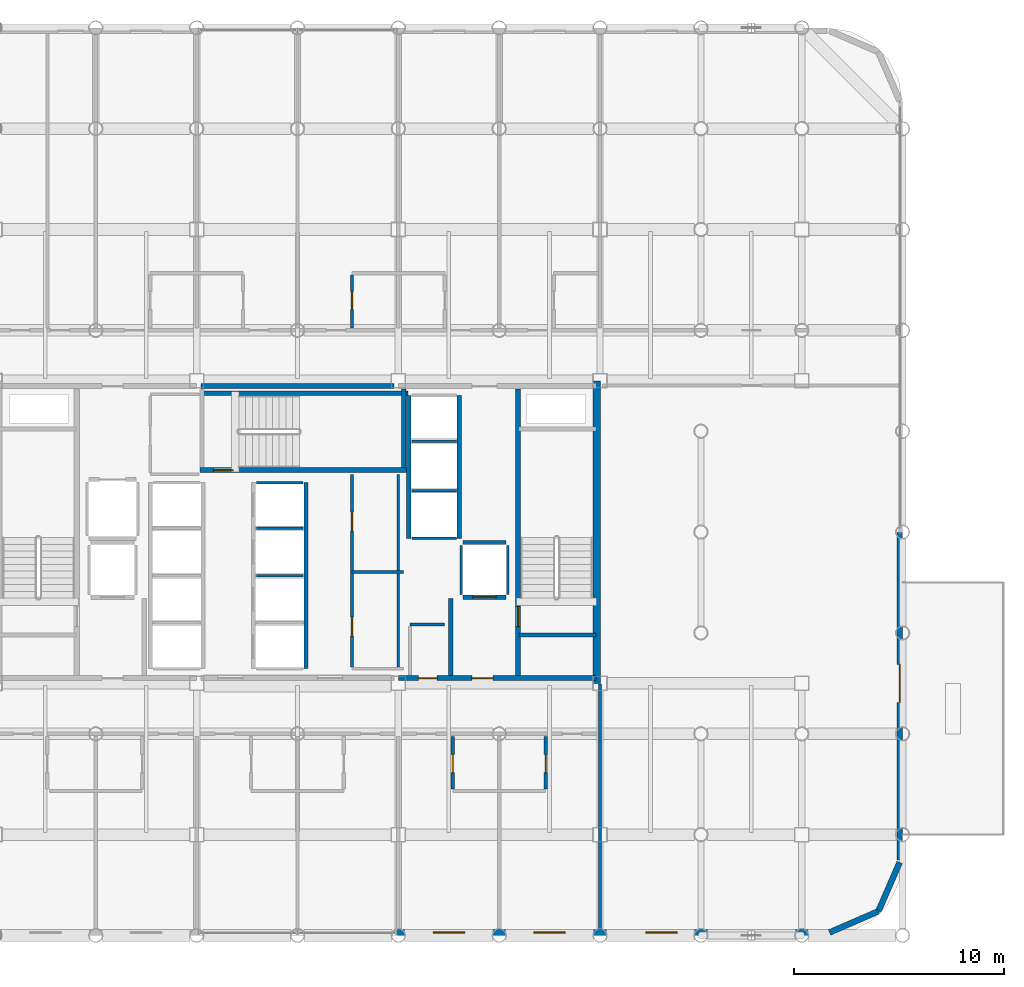
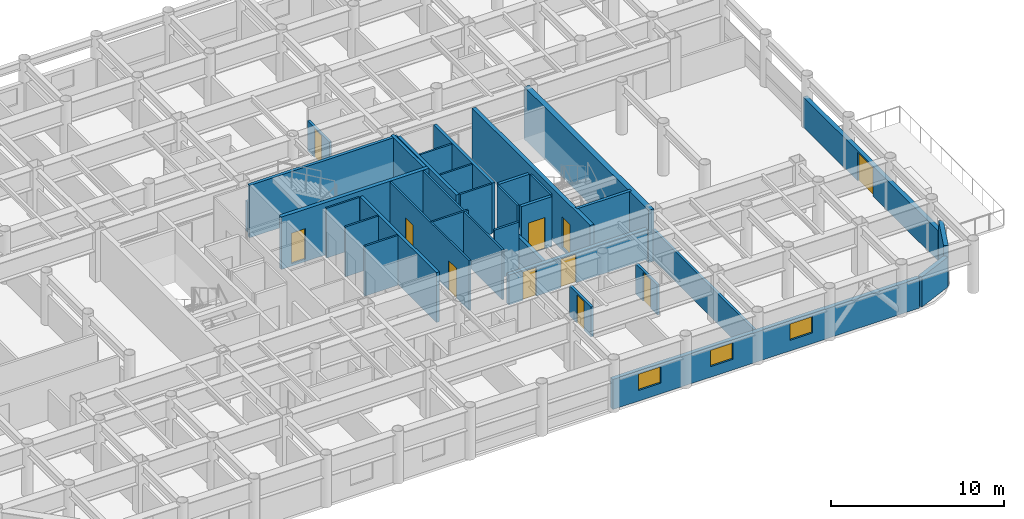
# One storey, part 19 of 23: 34 walls, 11 doors, 3 windows, 14 openings.
"""IFC4 building model written with IfcOpenShell, lengths in metres."""

from ifc_helpers import new_model, si_unit, direction, frame, frame_2d, origin, place, context, subcontext, project, spatial, rectangle, extrude, material, layer, layer_set, type_object, element, fill, save


model = new_model("IFC4")

# Units and contexts
model_context = context("Model", 3, precision=1e-05, world=origin(), true_north=direction((0.0, 1.0)))
body_context = subcontext(model_context, "Body", "Model", "MODEL_VIEW")
ifc_project = project(units=[si_unit("LENGTHUNIT", "METRE"), si_unit("AREAUNIT", "SQUARE_METRE"), si_unit("VOLUMEUNIT", "CUBIC_METRE"), si_unit("PLANEANGLEUNIT", "RADIAN"), si_unit("MASSUNIT", "GRAM", prefix="KILO")], contexts=[model_context])

# Site, building, storey
site_placement = place(None, origin())
site = spatial("IfcSite", under=ifc_project, at=site_placement, CompositionType="ELEMENT")
building_placement = place(site_placement, origin())
building = spatial("IfcBuilding", under=site, at=building_placement, Name="Kallvorn Hotel Tower", CompositionType="ELEMENT")
storey_placement = place(building_placement, frame((0.0, 0.0, 124.800048828125)))
storey = spatial("IfcBuildingStorey", under=building, at=storey_placement, Name="L30", CompositionType="ELEMENT", Elevation=124.800048828125)

# Wall
ifc_material_1 = material(Name="Concrete C50/60", Category="concrete")
ifc_layer_1 = layer(ifc_material_1, 0.35009765625)
ifc_layer_set_1 = layer_set([ifc_layer_1], Name="WL_CORE_350")
wall_type_1 = type_object("IfcWallType", Name="WL_CORE_350", PredefinedType="SHEAR", material=ifc_layer_set_1)
wall_1_placement = place(storey_placement, frame((14.239990234375, -7.199951171875, -0.179931640625), z_axis=(0.0, 0.0, 1.0), x_axis=(0.0, 1.0, 0.0)))
element("IfcWall", 1, at=wall_1_placement, inside=storey, type_object=wall_type_1, Name="L30 Core East Shear Wall", PredefinedType="SHEAR", context=body_context, shape_type="SweptSolid", body=[
    extrude(rectangle(XDim=14.39990234375, YDim=0.35009765625, at=frame_2d((7.199951171875, 0.0))), origin(), (0.0, 0.0, 1.0), 3.699951171875),
])

# Wall, opening, door
ifc_material_2 = material(Name="Fire-rated double-layer acoustic gypsum drywall EI 60")
ifc_layer_2 = layer(ifc_material_2, 0.159912109375)
ifc_layer_set_2 = layer_set([ifc_layer_2], Name="WL_DEMISE_160")
wall_type_2 = type_object("IfcWallType", Name="WL_DEMISE_160", PredefinedType="PARTITIONING", material=ifc_layer_set_2)
wall_2_placement = place(storey_placement, frame((2.594970703125, 9.719970703125, 0.0), z_axis=(0.0, 0.0, 1.0), x_axis=(0.0, 1.0, 0.0)))
wall_2 = element("IfcWall", 2, at=wall_2_placement, inside=storey, type_object=wall_type_2, Name="L30 Suite 3009 Standard Twin Room Partition", PredefinedType="PARTITIONING", context=body_context, shape_type="SweptSolid", body=[
    extrude(rectangle(XDim=2.51513671875, YDim=0.159912109375, at=frame_2d((1.257568359375, 0.0))), origin(), (0.0, 0.0, 1.0), 2.119873046875),
])
opening_1_placement = place(wall_2_placement, frame((0.8701171875, 0.0, 0.0)))
opening_1 = element("IfcOpeningElement", 3, at=opening_1_placement, cuts=wall_2, Name="Opening BD-IA", PredefinedType="OPENING", context=body_context, shape_type="SweptSolid", body=[
    extrude(rectangle(XDim=0.860107421875, YDim=2.02001953125, at=frame_2d((0.43017578125, 1.010009765625))), frame((0.0, 0.094970703125, 0.0), z_axis=(0.0, -1.0, 0.0), x_axis=(1.0, 0.0, 0.0)), (0.0, 0.0, 1.0), 0.18994140625),
])
ifc_material_3 = material(Name="Solid-core walnut veneer fire-rated timber door leaf", Category="wood")
door_type_1 = type_object("IfcDoorType", Name="DR_BATH_860x2020", OperationType="NOTDEFINED", PredefinedType="DOOR", material=ifc_material_3)
door_1_placement = place(opening_1_placement, origin())
door_1 = element("IfcDoor", 4, at=door_1_placement, inside=storey, type_object=door_type_1, Name="L30 Suite 3009 En-Suite Bathroom Door", OperationType="SINGLE_SWING_RIGHT", OverallHeight=2.02001953125, OverallWidth=0.860107421875, PredefinedType="DOOR", context=body_context, shape_type="SweptSolid", body=[
    extrude(rectangle(XDim=0.860107421875, YDim=2.02001953125, at=frame_2d((0.43017578125, 1.010009765625))), frame((0.0, 0.02490234375, 0.0), z_axis=(0.0, -1.0, 0.0), x_axis=(1.0, 0.0, 0.0)), (0.0, 0.0, 1.0), 0.050048828125),
])
fill(opening_1, door_1)

wall_3_placement = place(storey_placement, frame((7.389892578125, -12.235107421875, 0.0), z_axis=(0.0, 0.0, 1.0), x_axis=(0.0, 1.0, 0.0)))
wall_3 = element("IfcWall", 5, at=wall_3_placement, inside=storey, type_object=wall_type_2, Name="L30 Suite 3005 Superior Twin Room Partition", PredefinedType="PARTITIONING", context=body_context, shape_type="SweptSolid", body=[
    extrude(rectangle(XDim=2.51513671875, YDim=0.159912109375, at=frame_2d((1.257568359375, 0.0))), origin(), (0.0, 0.0, 1.0), 2.119873046875),
])
opening_2_placement = place(wall_3_placement, frame((0.784912109375, 0.0, 0.0)))
opening_2 = element("IfcOpeningElement", 6, at=opening_2_placement, cuts=wall_3, Name="Opening BD-IA", PredefinedType="OPENING", context=body_context, shape_type="SweptSolid", body=[
    extrude(rectangle(XDim=0.860107421875, YDim=2.02001953125, at=frame_2d((0.43017578125, 1.010009765625))), frame((0.0, 0.094970703125, 0.0), z_axis=(0.0, -1.0, 0.0), x_axis=(1.0, 0.0, 0.0)), (0.0, 0.0, 1.0), 0.18994140625),
])
door_2_placement = place(opening_2_placement, origin())
door_2 = element("IfcDoor", 7, at=door_2_placement, inside=storey, type_object=door_type_1, Name="L30 Suite 3005 En-Suite Bathroom Door", OperationType="SINGLE_SWING_LEFT", OverallHeight=2.02001953125, OverallWidth=0.860107421875, PredefinedType="DOOR", context=body_context, shape_type="SweptSolid", body=[
    extrude(rectangle(XDim=0.860107421875, YDim=2.02001953125, at=frame_2d((0.43017578125, 1.010009765625))), frame((0.0, 0.02490234375, 0.0), z_axis=(0.0, -1.0, 0.0), x_axis=(1.0, 0.0, 0.0)), (0.0, 0.0, 1.0), 0.050048828125),
])
fill(opening_2, door_2)

wall_4_placement = place(storey_placement, frame((11.81005859375, -12.235107421875, 0.0), z_axis=(0.0, 0.0, 1.0), x_axis=(0.0, 1.0, 0.0)))
wall_4 = element("IfcWall", 8, at=wall_4_placement, inside=storey, type_object=wall_type_2, Name="L30 Suite 3006 Superior Twin Room Partition", PredefinedType="PARTITIONING", context=body_context, shape_type="SweptSolid", body=[
    extrude(rectangle(XDim=2.51513671875, YDim=0.159912109375, at=frame_2d((1.257568359375, 0.0))), origin(), (0.0, 0.0, 1.0), 2.119873046875),
])
opening_3_placement = place(wall_4_placement, frame((0.784912109375, 0.0, 0.0)))
opening_3 = element("IfcOpeningElement", 9, at=opening_3_placement, cuts=wall_4, Name="Opening BD-IA", PredefinedType="OPENING", context=body_context, shape_type="SweptSolid", body=[
    extrude(rectangle(XDim=0.860107421875, YDim=2.02001953125, at=frame_2d((0.43017578125, 1.010009765625))), frame((0.0, 0.094970703125, 0.0), z_axis=(0.0, -1.0, 0.0), x_axis=(1.0, 0.0, 0.0)), (0.0, 0.0, 1.0), 0.18994140625),
])
door_3_placement = place(opening_3_placement, origin())
door_3 = element("IfcDoor", 10, at=door_3_placement, inside=storey, type_object=door_type_1, Name="L30 Suite 3006 En-Suite Bathroom Door", OperationType="SINGLE_SWING_LEFT", OverallHeight=2.02001953125, OverallWidth=0.860107421875, PredefinedType="DOOR", context=body_context, shape_type="SweptSolid", body=[
    extrude(rectangle(XDim=0.860107421875, YDim=2.02001953125, at=frame_2d((0.43017578125, 1.010009765625))), frame((0.0, 0.02490234375, 0.0), z_axis=(0.0, -1.0, 0.0), x_axis=(1.0, 0.0, 0.0)), (0.0, 0.0, 1.0), 0.050048828125),
])
fill(opening_3, door_3)

# Walls
wall_5_placement = place(storey_placement, frame((14.39990234375, -18.909912109375, 0.0), z_axis=(0.0, 0.0, 1.0), x_axis=(0.0, 1.0, 0.0)))
element("IfcWall", 11, at=wall_5_placement, inside=storey, type_object=wall_type_2, Name="L30 Suite 3006 Superior Twin Room Partition", PredefinedType="PARTITIONING", context=body_context, shape_type="SweptSolid", body=[
    extrude(rectangle(XDim=11.669921875, YDim=0.159912109375, at=frame_2d((5.8349609375, 0.0))), origin(), (0.0, 0.0, 1.0), 2.119873046875),
])
ifc_material_4 = material(Name="Precast basalt-clad insulated concrete wall C40/50", Category="masonry")
ifc_layer_3 = layer(ifc_material_4, 0.280029296875)
ifc_layer_set_3 = layer_set([ifc_layer_3], Name="WL_EXT_LOGGIA_280")
wall_type_3 = type_object("IfcWallType", Name="WL_EXT_LOGGIA_280", PredefinedType="SOLIDWALL", material=ifc_layer_set_3)
wall_6_placement = place(storey_placement, frame((25.32080078125, -19.057861328125, 0.0), z_axis=(0.0, 0.0, 1.0), x_axis=(0.917060872934, 0.398747232384, 0.0)))
element("IfcWall", 12, at=wall_6_placement, inside=storey, type_object=wall_type_3, Name="L30 Rounded Corner Exterior Wall SE1", PredefinedType="SOLIDWALL", context=body_context, shape_type="SweptSolid", body=[
    extrude(rectangle(XDim=2.5361328125, YDim=0.280029296875, at=frame_2d((1.26806640625, 0.0))), origin(), (0.0, 0.0, 1.0), 2.119873046875),
])
wall_7_placement = place(storey_placement, frame((27.646484375, -18.046630859375, 0.0), z_axis=(0.0, 0.0, 1.0), x_axis=(0.398792985289, 0.917040977756, 0.0)))
element("IfcWall", 13, at=wall_7_placement, inside=storey, type_object=wall_type_3, Name="L30 Rounded Corner Exterior Wall SE2", PredefinedType="SOLIDWALL", context=body_context, shape_type="SweptSolid", body=[
    extrude(rectangle(XDim=2.536376953125, YDim=0.280029296875, at=frame_2d((1.26806640625, 0.0))), origin(), (0.0, 0.0, 1.0), 2.869873046875),
])

# Wall, openings, windows
wall_8_placement = place(storey_placement, frame((4.75, -19.06005859375, 0.0), z_axis=(0.0, 0.0, 1.0), x_axis=(1.0, 0.0, 0.0)))
wall_8 = element("IfcWall", 14, at=wall_8_placement, inside=storey, type_object=wall_type_3, Name="L30 Exterior Envelope Wall EW-L30-SE", PredefinedType="SOLIDWALL", context=body_context, shape_type="SweptSolid", body=[
    extrude(rectangle(XDim=20.449951171875, YDim=0.280029296875, at=frame_2d((10.22509765625, 0.0))), origin(), (0.0, 0.0, 1.0), 2.119873046875),
])
opening_4_placement = place(wall_8_placement, frame((11.81689453125, 0.0, 0.75)))
opening_4 = element("IfcOpeningElement", 15, at=opening_4_placement, cuts=wall_8, Name="Opening W05A", PredefinedType="OPENING", context=body_context, shape_type="SweptSolid", body=[
    extrude(rectangle(XDim=1.5, YDim=1.14990234375, at=frame_2d((0.75, 0.574951171875))), frame((0.0, 0.155029296875, 0.0), z_axis=(0.0, -1.0, 0.0), x_axis=(1.0, 0.0, 0.0)), (0.0, 0.0, 1.0), 0.31005859375),
])
opening_5_placement = place(wall_8_placement, frame((1.699951171875, 0.0, 0.75)))
opening_5 = element("IfcOpeningElement", 16, at=opening_5_placement, cuts=wall_8, Name="Opening W05A", PredefinedType="OPENING", context=body_context, shape_type="SweptSolid", body=[
    extrude(rectangle(XDim=1.5, YDim=1.14990234375, at=frame_2d((0.75, 0.574951171875))), frame((0.0, 0.155029296875, 0.0), z_axis=(0.0, -1.0, 0.0), x_axis=(1.0, 0.0, 0.0)), (0.0, 0.0, 1.0), 0.31005859375),
])
opening_6_placement = place(wall_8_placement, frame((6.5, 0.0, 0.75)))
opening_6 = element("IfcOpeningElement", 17, at=opening_6_placement, cuts=wall_8, Name="Opening W05A", PredefinedType="OPENING", context=body_context, shape_type="SweptSolid", body=[
    extrude(rectangle(XDim=1.5, YDim=1.14990234375, at=frame_2d((0.75, 0.574951171875))), frame((0.0, 0.155029296875, 0.0), z_axis=(0.0, -1.0, 0.0), x_axis=(1.0, 0.0, 0.0)), (0.0, 0.0, 1.0), 0.31005859375),
])
ifc_material_5 = material(Name="Double-glazed low-e solar-control dark glass", Category="glass")
window_type = type_object("IfcWindowType", Name="WN_HTL_1500x1150", PartitioningType="SINGLE_PANEL", PredefinedType="WINDOW", material=ifc_material_5)
window_1_placement = place(opening_4_placement, origin())
window_1 = element("IfcWindow", 18, at=window_1_placement, inside=storey, type_object=window_type, Name="L30 Guestroom Exterior Window 04", OverallHeight=1.14990234375, OverallWidth=1.5, PartitioningType="SINGLE_PANEL", PredefinedType="WINDOW", context=body_context, shape_type="SweptSolid", body=[
    extrude(rectangle(XDim=1.5, YDim=1.14990234375, at=frame_2d((0.75, 0.574951171875))), frame((0.0, 0.030029296875, 0.0), z_axis=(0.0, -1.0, 0.0), x_axis=(1.0, 0.0, 0.0)), (0.0, 0.0, 1.0), 0.06005859375),
])
fill(opening_4, window_1)
window_2_placement = place(opening_5_placement, origin())
window_2 = element("IfcWindow", 19, at=window_2_placement, inside=storey, type_object=window_type, Name="L30 Guestroom Exterior Window 07", OverallHeight=1.14990234375, OverallWidth=1.5, PartitioningType="SINGLE_PANEL", PredefinedType="WINDOW", context=body_context, shape_type="SweptSolid", body=[
    extrude(rectangle(XDim=1.5, YDim=1.14990234375, at=frame_2d((0.75, 0.574951171875))), frame((0.0, 0.030029296875, 0.0), z_axis=(0.0, -1.0, 0.0), x_axis=(1.0, 0.0, 0.0)), (0.0, 0.0, 1.0), 0.06005859375),
])
fill(opening_5, window_2)
window_3_placement = place(opening_6_placement, origin())
window_3 = element("IfcWindow", 20, at=window_3_placement, inside=storey, type_object=window_type, Name="L30 Guestroom Exterior Window 08", OverallHeight=1.14990234375, OverallWidth=1.5, PartitioningType="SINGLE_PANEL", PredefinedType="WINDOW", context=body_context, shape_type="SweptSolid", body=[
    extrude(rectangle(XDim=1.5, YDim=1.14990234375, at=frame_2d((0.75, 0.574951171875))), frame((0.0, 0.030029296875, 0.0), z_axis=(0.0, -1.0, 0.0), x_axis=(1.0, 0.0, 0.0)), (0.0, 0.0, 1.0), 0.06005859375),
])
fill(opening_6, window_3)

# Wall, opening, door
wall_9_placement = place(storey_placement, frame((28.659912109375, -15.60009765625, 0.0), z_axis=(0.0, 0.0, 1.0), x_axis=(0.0, 1.0, 0.0)))
wall_9 = element("IfcWall", 21, at=wall_9_placement, inside=storey, type_object=wall_type_3, Name="L30 Exterior Envelope Wall EW-L30-ES", PredefinedType="SOLIDWALL", context=body_context, shape_type="SweptSolid", body=[
    extrude(rectangle(XDim=15.580078125, YDim=0.280029296875, at=frame_2d((7.7900390625, 0.0))), origin(), (0.0, 0.0, 1.0), 2.119873046875),
])
opening_7_placement = place(wall_9_placement, frame((7.5, 0.0, 0.0)))
opening_7 = element("IfcOpeningElement", 22, at=opening_7_placement, cuts=wall_9, Name="Opening TD2A", PredefinedType="OPENING", context=body_context, shape_type="SweptSolid", body=[
    extrude(rectangle(XDim=1.800048828125, YDim=2.02001953125, at=frame_2d((0.89990234375, 1.010009765625))), frame((0.0, 0.155029296875, 0.0), z_axis=(0.0, -1.0, 0.0), x_axis=(1.0, 0.0, 0.0)), (0.0, 0.0, 1.0), 0.31005859375),
])
ifc_material_6 = material(Name="Double-glazed low-e solar-control dark glass", Category="glass")
door_type_2 = type_object("IfcDoorType", Name="DR_TERR_TOW_1800x2020", OperationType="DOUBLE_DOOR_SINGLE_SWING", PredefinedType="DOOR", material=ifc_material_6)
door_4_placement = place(opening_7_placement, origin())
door_4 = element("IfcDoor", 23, at=door_4_placement, inside=storey, type_object=door_type_2, Name="L30 Step-Off Terrace Glazed Door 1", OperationType="DOUBLE_DOOR_SINGLE_SWING", OverallHeight=2.02001953125, OverallWidth=1.800048828125, PredefinedType="DOOR", context=body_context, shape_type="SweptSolid", body=[
    extrude(rectangle(XDim=1.800048828125, YDim=2.02001953125, at=frame_2d((0.89990234375, 1.010009765625))), frame((0.0, 0.02490234375, 0.0), z_axis=(0.0, -1.0, 0.0), x_axis=(1.0, 0.0, 0.0)), (0.0, 0.0, 1.0), 0.050048828125),
])
fill(opening_7, door_4)

# Walls
ifc_material_7 = material(Name="Concrete C40/50", Category="concrete")
ifc_layer_4 = layer(ifc_material_7, 0.219970703125)
ifc_layer_set_4 = layer_set([ifc_layer_4], Name="WL_FFL_220")
wall_type_4 = type_object("IfcWallType", Name="WL_FFL_220", PredefinedType="SOLIDWALL", material=ifc_layer_set_4)
wall_10_placement = place(storey_placement, frame((7.300048828125, -6.820068359375, 0.0), z_axis=(0.0, 0.0, 1.0), x_axis=(0.0, 1.0, 0.0)))
element("IfcWall", 24, at=wall_10_placement, inside=storey, type_object=wall_type_4, Name="L30 Firefighting Lobby East Divider Wall", PredefinedType="SOLIDWALL", context=body_context, shape_type="SweptSolid", body=[
    extrude(rectangle(XDim=3.670166015625, YDim=0.219970703125, at=frame_2d((1.8349609375, 0.0))), origin(), (0.0, 0.0, 1.0), 2.119873046875),
])
ifc_material_8 = material(Name="Concrete C40/50", Category="concrete")
ifc_layer_5 = layer(ifc_material_8, 0.199951171875)
ifc_layer_set_5 = layer_set([ifc_layer_5], Name="WL_HOIST_200")
wall_type_5 = type_object("IfcWallType", Name="WL_HOIST_200", PredefinedType="SOLIDWALL", material=ifc_layer_set_5)
wall_11_placement = place(storey_placement, frame((10.550048828125, -4.89990234375, -0.179931640625), z_axis=(0.0, 0.0, 1.0), x_axis=(1.0, 0.0, 0.0)))
element("IfcWall", 25, at=wall_11_placement, inside=storey, type_object=wall_type_5, Name="L30 Stair ST2 South Wall", PredefinedType="SOLIDWALL", context=body_context, shape_type="SweptSolid", body=[
    extrude(rectangle(XDim=3.64990234375, YDim=0.199951171875, at=frame_2d((1.824951171875, 0.0))), origin(), (0.0, 0.0, 1.0), 3.699951171875),
])
wall_12_placement = place(storey_placement, frame((-4.64990234375, 6.610107421875, -0.179931640625), z_axis=(0.0, 0.0, 1.0), x_axis=(1.0, 0.0, 0.0)))
element("IfcWall", 26, at=wall_12_placement, inside=storey, type_object=wall_type_5, Name="L30 Stair ST3 Shaft North Wall", PredefinedType="SOLIDWALL", context=body_context, shape_type="SweptSolid", body=[
    extrude(rectangle(XDim=9.89990234375, YDim=0.199951171875, at=frame_2d((4.949951171875, 0.0))), origin(), (0.0, 0.0, 1.0), 3.699951171875),
])
wall_13_placement = place(storey_placement, frame((5.06005859375, 3.080078125, -0.179931640625), z_axis=(0.0, 0.0, 1.0), x_axis=(0.0, 1.0, 0.0)))
element("IfcWall", 27, at=wall_13_placement, inside=storey, type_object=wall_type_5, Name="L30 Stair ST3 East Wall", PredefinedType="SOLIDWALL", context=body_context, shape_type="SweptSolid", body=[
    extrude(rectangle(XDim=3.739990234375, YDim=0.199951171875, at=frame_2d((1.8701171875, 0.0))), origin(), (0.0, 0.0, 1.0), 3.699951171875),
])
wall_14_placement = place(storey_placement, frame((0.39990234375, -6.5, 0.0), z_axis=(0.0, 0.0, 1.0), x_axis=(0.0, 1.0, 0.0)))
element("IfcWall", 28, at=wall_14_placement, inside=storey, type_object=wall_type_5, Name="L30 Lift Bank B2 Rear Shaft Wall", PredefinedType="SOLIDWALL", context=body_context, shape_type="SweptSolid", body=[
    extrude(rectangle(XDim=8.85009765625, YDim=0.199951171875, at=frame_2d((4.425048828125, 0.0))), origin(), (0.0, 0.0, 1.0), 3.52001953125),
])
for number, where, z_axis, x_axis, name in (
    (29, (7.699951171875, -0.300048828125, 0.0), (0.0, 0.0, 1.0), (0.0, 1.0, 0.0), "L30 Lift Bank OBS Landing Wall"),
    (30, (5.300048828125, -0.300048828125, 0.0), (0.0, 0.0, 1.0), (0.0, 1.0, 0.0), "L30 Lift Bank OBS Rear Shaft Wall"),
):
    element("IfcWall", number, at=place(storey_placement, frame(where, z_axis=z_axis, x_axis=x_axis)), inside=storey, type_object=wall_type_5, Name=name, PredefinedType="SOLIDWALL", context=body_context, shape_type="SweptSolid", body=[
        extrude(rectangle(XDim=6.800048828125, YDim=0.199951171875, at=frame_2d((3.39990234375, 0.0))), origin(), (0.0, 0.0, 1.0), 3.52001953125),
    ])

# Wall, opening, door
wall_15_placement = place(storey_placement, frame((7.8798828125, -3.10009765625, 0.0), z_axis=(0.0, 0.0, 1.0), x_axis=(1.0, 0.0, 0.0)))
wall_15 = element("IfcWall", 31, at=wall_15_placement, inside=storey, type_object=wall_type_5, Name="L30 FL-2 Landing Wall", PredefinedType="SOLIDWALL", context=body_context, shape_type="SweptSolid", body=[
    extrude(rectangle(XDim=2.0400390625, YDim=0.199951171875, at=frame_2d((1.02001953125, 0.0))), origin(), (0.0, 0.0, 1.0), 3.52001953125),
])
opening_8_placement = place(wall_15_placement, frame((0.469970703125, 0.0, 0.0)))
opening_8 = element("IfcOpeningElement", 32, at=opening_8_placement, cuts=wall_15, Name="Opening LD-FL-2", PredefinedType="OPENING", context=body_context, shape_type="SweptSolid", body=[
    extrude(rectangle(XDim=1.10009765625, YDim=2.199951171875, at=frame_2d((0.550048828125, 1.10009765625))), frame((0.0, 0.114990234375, 0.0), z_axis=(0.0, -1.0, 0.0), x_axis=(1.0, 0.0, 0.0)), (0.0, 0.0, 1.0), 0.22998046875),
])
ifc_material_9 = material(Name="Brushed stainless-steel automatic sliding lift landing door", Category="steel")
door_type_3 = type_object("IfcDoorType", Name="LD_PASS_1100x2200", OperationType="SLIDING_TO_LEFT", PredefinedType="DOOR", material=ifc_material_9)
door_5_placement = place(opening_8_placement, origin())
door_5 = element("IfcDoor", 33, at=door_5_placement, inside=storey, type_object=door_type_3, Name="L30 Lift Landing Sliding Door LD-FL-2", OperationType="SLIDING_TO_LEFT", OverallHeight=2.199951171875, OverallWidth=1.10009765625, PredefinedType="DOOR", context=body_context, shape_type="SweptSolid", body=[
    extrude(rectangle(XDim=1.10009765625, YDim=2.199951171875, at=frame_2d((0.550048828125, 1.10009765625))), frame((0.0, 0.02490234375, 0.0), z_axis=(0.0, -1.0, 0.0), x_axis=(1.0, 0.0, 0.0)), (0.0, 0.0, 1.0), 0.050048828125),
])
fill(opening_8, door_5)

# Walls
wall_16_placement = place(storey_placement, frame((7.8798828125, -0.5, 0.0), z_axis=(0.0, 0.0, 1.0), x_axis=(1.0, 0.0, 0.0)))
element("IfcWall", 34, at=wall_16_placement, inside=storey, type_object=wall_type_5, Name="L30 FL-2 Rear Shaft Wall", PredefinedType="SOLIDWALL", context=body_context, shape_type="SweptSolid", body=[
    extrude(rectangle(XDim=2.0400390625, YDim=0.199951171875, at=frame_2d((1.02001953125, 0.0))), origin(), (0.0, 0.0, 1.0), 3.52001953125),
])
ifc_material_10 = material(Name="Fire-rated double-layer acoustic gypsum drywall EI 60")
ifc_layer_6 = layer(ifc_material_10, 0.1201171875)
ifc_layer_set_6 = layer_set([ifc_layer_6], Name="WL_INT_120")
wall_type_6 = type_object("IfcWallType", Name="WL_INT_120", PredefinedType="PARTITIONING", material=ifc_layer_set_6)
for number, where, z_axis, x_axis, name in (
    (35, (-1.9599609375, -2.074951171875, 0.0), (0.0, 0.0, 1.0), (1.0, 0.0, 0.0), "L30 PL-06 Hoistway Divider"),
    (36, (-1.9599609375, 0.175048828125, 0.0), (0.0, 0.0, 1.0), (1.0, 0.0, 0.0), "L30 PL-07 Hoistway Divider"),
    (37, (-1.9599609375, 2.35009765625, 0.0), (0.0, 0.0, 1.0), (1.0, 0.0, 0.0), "L30 PL-08 Hoistway Divider"),
):
    element("IfcWall", number, at=place(storey_placement, frame(where, z_axis=z_axis, x_axis=x_axis)), inside=storey, type_object=wall_type_6, Name=name, PredefinedType="PARTITIONING", context=body_context, shape_type="SweptSolid", body=[
        extrude(rectangle(XDim=2.219970703125, YDim=0.1201171875, at=frame_2d((1.10986328125, 0.0))), origin(), (0.0, 0.0, 1.0), 3.52001953125),
    ])
for number, where, z_axis, x_axis, name in (
    (38, (5.43994140625, -0.300048828125, 0.0), (0.0, 0.0, 1.0), (1.0, 0.0, 0.0), "L30 Lift Bank OBS South Closure Wall"),
    (39, (5.43994140625, 1.97509765625, 0.0), (0.0, 0.0, 1.0), (1.0, 0.0, 0.0), "L30 OB-01 Hoistway Divider"),
    (40, (5.43994140625, 4.324951171875, 0.0), (0.0, 0.0, 1.0), (1.0, 0.0, 0.0), "L30 OB-02 Hoistway Divider"),
):
    element("IfcWall", number, at=place(storey_placement, frame(where, z_axis=z_axis, x_axis=x_axis)), inside=storey, type_object=wall_type_6, Name=name, PredefinedType="PARTITIONING", context=body_context, shape_type="SweptSolid", body=[
        extrude(rectangle(XDim=2.1201171875, YDim=0.1201171875, at=frame_2d((1.06005859375, 0.0))), origin(), (0.0, 0.0, 1.0), 3.52001953125),
    ])
for number, where, z_axis, x_axis, name in (
    (41, (7.800048828125, -2.9599609375, 0.0), (0.0, 0.0, 1.0), (0.0, 1.0, 0.0), "L30 FL-2 West Shaft Wall"),
    (42, (10.0, -2.9599609375, 0.0), (0.0, 0.0, 1.0), (0.0, 1.0, 0.0), "L30 FL-2 East Shaft Wall"),
):
    element("IfcWall", number, at=place(storey_placement, frame(where, z_axis=z_axis, x_axis=x_axis)), inside=storey, type_object=wall_type_6, Name=name, PredefinedType="PARTITIONING", context=body_context, shape_type="SweptSolid", body=[
        extrude(rectangle(XDim=2.320068359375, YDim=0.1201171875, at=frame_2d((1.16015625, 0.0))), origin(), (0.0, 0.0, 1.0), 3.52001953125),
    ])
wall_17_placement = place(storey_placement, frame((2.60009765625, -1.89990234375, 0.0), z_axis=(0.0, 0.0, 1.0), x_axis=(1.0, 0.0, 0.0)))
element("IfcWall", 43, at=wall_17_placement, inside=storey, type_object=wall_type_6, Name="L30 East Core Amenities and Minibar Store Partition", PredefinedType="PARTITIONING", context=body_context, shape_type="SweptSolid", body=[
    extrude(rectangle(XDim=2.449951171875, YDim=0.1201171875, at=frame_2d((1.22509765625, 0.0))), origin(), (0.0, 0.0, 1.0), 3.52001953125),
])

# Wall, openings, doors
wall_18_placement = place(storey_placement, frame((2.594970703125, -6.4150390625, 0.0), z_axis=(0.0, 0.0, 1.0), x_axis=(0.0, 1.0, 0.0)))
wall_18 = element("IfcWall", 44, at=wall_18_placement, inside=storey, type_object=wall_type_6, Name="L30 East Core Amenities and Minibar Store Partition", PredefinedType="PARTITIONING", context=body_context, shape_type="SweptSolid", body=[
    extrude(rectangle(XDim=9.1650390625, YDim=0.1201171875, at=frame_2d((4.58251953125, 0.0))), origin(), (0.0, 0.0, 1.0), 3.52001953125),
])
opening_9_placement = place(wall_18_placement, frame((1.465087890625, 0.0, 0.0)))
opening_9 = element("IfcOpeningElement", 45, at=opening_9_placement, cuts=wall_18, Name="Opening SVD1", PredefinedType="OPENING", context=body_context, shape_type="SweptSolid", body=[
    extrude(rectangle(XDim=0.89990234375, YDim=2.10009765625, at=frame_2d((0.449951171875, 1.050048828125))), frame((0.0, 0.074951171875, 0.0), z_axis=(0.0, -1.0, 0.0), x_axis=(1.0, 0.0, 0.0)), (0.0, 0.0, 1.0), 0.150146484375),
])
opening_10_placement = place(wall_18_placement, frame((6.465087890625, 0.0, 0.0)))
opening_10 = element("IfcOpeningElement", 46, at=opening_10_placement, cuts=wall_18, Name="Opening SVD1", PredefinedType="OPENING", context=body_context, shape_type="SweptSolid", body=[
    extrude(rectangle(XDim=0.89990234375, YDim=2.10009765625, at=frame_2d((0.449951171875, 1.050048828125))), frame((0.0, 0.074951171875, 0.0), z_axis=(0.0, -1.0, 0.0), x_axis=(1.0, 0.0, 0.0)), (0.0, 0.0, 1.0), 0.150146484375),
])
ifc_material_11 = material(Name="Galvanised painted steel fire-rated door assembly", Category="steel")
door_type_4 = type_object("IfcDoorType", Name="DR_SERV_900x2100", OperationType="NOTDEFINED", PredefinedType="DOOR", material=ifc_material_11)
door_6_placement = place(opening_9_placement, origin())
door_6 = element("IfcDoor", 47, at=door_6_placement, inside=storey, type_object=door_type_4, Name="L30 East Core Amenities and Minibar Store Door", OperationType="SINGLE_SWING_RIGHT", OverallHeight=2.10009765625, OverallWidth=0.89990234375, PredefinedType="DOOR", context=body_context, shape_type="SweptSolid", body=[
    extrude(rectangle(XDim=0.89990234375, YDim=2.10009765625, at=frame_2d((0.449951171875, 1.050048828125))), frame((0.0, 0.02490234375, 0.0), z_axis=(0.0, -1.0, 0.0), x_axis=(1.0, 0.0, 0.0)), (0.0, 0.0, 1.0), 0.050048828125),
])
fill(opening_9, door_6)
door_7_placement = place(opening_10_placement, origin())
door_7 = element("IfcDoor", 48, at=door_7_placement, inside=storey, type_object=door_type_4, Name="L30 East Core Cleaners and Janitor Room Door", OperationType="SINGLE_SWING_RIGHT", OverallHeight=2.10009765625, OverallWidth=0.89990234375, PredefinedType="DOOR", context=body_context, shape_type="SweptSolid", body=[
    extrude(rectangle(XDim=0.89990234375, YDim=2.10009765625, at=frame_2d((0.449951171875, 1.050048828125))), frame((0.0, 0.02490234375, 0.0), z_axis=(0.0, -1.0, 0.0), x_axis=(1.0, 0.0, 0.0)), (0.0, 0.0, 1.0), 0.050048828125),
])
fill(opening_10, door_7)

# Walls
wall_19_placement = place(storey_placement, frame((4.800048828125, -6.4150390625, 0.0), z_axis=(0.0, 0.0, 1.0), x_axis=(0.0, 1.0, 0.0)))
element("IfcWall", 49, at=wall_19_placement, inside=storey, type_object=wall_type_6, Name="L30 East Core Amenities and Minibar Store Partition", PredefinedType="PARTITIONING", context=body_context, shape_type="SweptSolid", body=[
    extrude(rectangle(XDim=9.1650390625, YDim=0.1201171875, at=frame_2d((4.58251953125, 0.0))), origin(), (0.0, 0.0, 1.0), 3.52001953125),
])
ifc_material_12 = material(Name="Moisture-resistant acoustic plumbing chase wall EI 60")
ifc_layer_7 = layer(ifc_material_12, 0.139892578125)
ifc_layer_set_7 = layer_set([ifc_layer_7], Name="WL_PLUMB_140")
wall_type_7 = type_object("IfcWallType", Name="WL_PLUMB_140", PredefinedType="PLUMBINGWALL", material=ifc_layer_set_7)
wall_20_placement = place(storey_placement, frame((5.35009765625, -4.39990234375, 0.0), z_axis=(0.0, 0.0, 1.0), x_axis=(1.0, 0.0, 0.0)))
element("IfcWall", 50, at=wall_20_placement, inside=storey, type_object=wall_type_7, Name="L30 Core Staff Restroom WC Partition", PredefinedType="PLUMBINGWALL", context=body_context, shape_type="SweptSolid", body=[
    extrude(rectangle(XDim=1.64990234375, YDim=0.139892578125, at=frame_2d((0.824951171875, 0.0))), origin(), (0.0, 0.0, 1.0), 3.52001953125),
])

# Wall, openings, doors
ifc_material_13 = material(Name="Concrete C40/50", Category="concrete")
ifc_layer_8 = layer(ifc_material_13, 0.25)
ifc_layer_set_8 = layer_set([ifc_layer_8], Name="WL_SHAFT_250")
wall_type_8 = type_object("IfcWallType", Name="WL_SHAFT_250", PredefinedType="SOLIDWALL", material=ifc_layer_set_8)
wall_21_placement = place(storey_placement, frame((4.800048828125, -6.949951171875, 0.0), z_axis=(0.0, 0.0, 1.0), x_axis=(1.0, 0.0, 0.0)))
wall_21 = element("IfcWall", 51, at=wall_21_placement, inside=storey, type_object=wall_type_8, Name="L30 Core South-East Wall", PredefinedType="SOLIDWALL", context=body_context, shape_type="SweptSolid", body=[
    extrude(rectangle(XDim=9.39990234375, YDim=0.25, at=frame_2d((4.699951171875, 0.0))), origin(), (0.0, 0.0, 1.0), 2.119873046875),
])
opening_11_placement = place(wall_21_placement, frame((3.5, 0.0, 0.0)))
opening_11 = element("IfcOpeningElement", 52, at=opening_11_placement, cuts=wall_21, Name="Opening FD1A", PredefinedType="OPENING", context=body_context, shape_type="SweptSolid", body=[
    extrude(rectangle(XDim=1.0, YDim=2.02001953125, at=frame_2d((0.5, 1.010009765625))), frame((0.0, 0.139892578125, 0.0), z_axis=(0.0, -1.0, 0.0), x_axis=(1.0, 0.0, 0.0)), (0.0, 0.0, 1.0), 0.280029296875),
])
opening_12_placement = place(wall_21_placement, frame((0.949951171875, 0.0, 0.0)))
opening_12 = element("IfcOpeningElement", 53, at=opening_12_placement, cuts=wall_21, Name="Opening SVD1A", PredefinedType="OPENING", context=body_context, shape_type="SweptSolid", body=[
    extrude(rectangle(XDim=0.89990234375, YDim=2.02001953125, at=frame_2d((0.449951171875, 1.010009765625))), frame((0.0, 0.139892578125, 0.0), z_axis=(0.0, -1.0, 0.0), x_axis=(1.0, 0.0, 0.0)), (0.0, 0.0, 1.0), 0.280029296875),
])
ifc_material_14 = material(Name="Galvanised painted steel fire-rated door assembly", Category="steel")
door_type_5 = type_object("IfcDoorType", Name="DR_FFL_1000x2020", OperationType="NOTDEFINED", PredefinedType="DOOR", material=ifc_material_14)
door_8_placement = place(opening_11_placement, origin())
door_8 = element("IfcDoor", 54, at=door_8_placement, inside=storey, type_object=door_type_5, Name="L30 Firefighting Lobby East Door", OperationType="SINGLE_SWING_RIGHT", OverallHeight=2.02001953125, OverallWidth=1.0, PredefinedType="DOOR", context=body_context, shape_type="SweptSolid", body=[
    extrude(rectangle(XDim=1.0, YDim=2.02001953125, at=frame_2d((0.5, 1.010009765625))), frame((0.0, 0.02490234375, 0.0), z_axis=(0.0, -1.0, 0.0), x_axis=(1.0, 0.0, 0.0)), (0.0, 0.0, 1.0), 0.050048828125),
])
fill(opening_11, door_8)
ifc_material_15 = material(Name="Galvanised painted steel fire-rated door assembly", Category="steel")
door_type_6 = type_object("IfcDoorType", Name="DR_SERV_900x2020", OperationType="NOTDEFINED", PredefinedType="DOOR", material=ifc_material_15)
door_9_placement = place(opening_12_placement, origin())
door_9 = element("IfcDoor", 55, at=door_9_placement, inside=storey, type_object=door_type_6, Name="L30 Core Staff Restroom WC Door", OperationType="SINGLE_SWING_RIGHT", OverallHeight=2.02001953125, OverallWidth=0.89990234375, PredefinedType="DOOR", context=body_context, shape_type="SweptSolid", body=[
    extrude(rectangle(XDim=0.89990234375, YDim=2.02001953125, at=frame_2d((0.449951171875, 1.010009765625))), frame((0.0, 0.02490234375, 0.0), z_axis=(0.0, -1.0, 0.0), x_axis=(1.0, 0.0, 0.0)), (0.0, 0.0, 1.0), 0.050048828125),
])
fill(opening_12, door_9)

# Wall
wall_22_placement = place(storey_placement, frame((-4.60009765625, 6.949951171875, 0.0), z_axis=(0.0, 0.0, 1.0), x_axis=(1.0, 0.0, 0.0)))
element("IfcWall", 56, at=wall_22_placement, inside=storey, type_object=wall_type_8, Name="L30 Core North-Central Wall", PredefinedType="SOLIDWALL", context=body_context, shape_type="SweptSolid", body=[
    extrude(rectangle(XDim=9.2001953125, YDim=0.25, at=frame_2d((4.60009765625, 0.0))), origin(), (0.0, 0.0, 1.0), 2.119873046875),
])

# Wall, opening, door
wall_23_placement = place(storey_placement, frame((10.5, -6.820068359375, -0.179931640625), z_axis=(0.0, 0.0, 1.0), x_axis=(0.0, 1.0, 0.0)))
wall_23 = element("IfcWall", 57, at=wall_23_placement, inside=storey, type_object=wall_type_8, Name="L30 Stair ST2 Shaft Wall", PredefinedType="SOLIDWALL", context=body_context, shape_type="SweptSolid", body=[
    extrude(rectangle(XDim=13.64013671875, YDim=0.25, at=frame_2d((6.820068359375, 0.0))), origin(), (0.0, 0.0, 1.0), 3.699951171875),
])
opening_13_placement = place(wall_23_placement, frame((2.320068359375, 0.0, 0.179931640625)))
opening_13 = element("IfcOpeningElement", 58, at=opening_13_placement, cuts=wall_23, Name="Opening SD1", PredefinedType="OPENING", context=body_context, shape_type="SweptSolid", body=[
    extrude(rectangle(XDim=0.949951171875, YDim=2.14990234375, at=frame_2d((0.47509765625, 1.074951171875))), frame((0.0, 0.139892578125, 0.0), z_axis=(0.0, -1.0, 0.0), x_axis=(1.0, 0.0, 0.0)), (0.0, 0.0, 1.0), 0.280029296875),
])
ifc_material_16 = material(Name="Galvanised painted steel fire-rated door assembly", Category="steel")
door_type_7 = type_object("IfcDoorType", Name="DR_STAIR_950x2150", OperationType="NOTDEFINED", PredefinedType="DOOR", material=ifc_material_16)
door_10_placement = place(opening_13_placement, origin())
door_10 = element("IfcDoor", 59, at=door_10_placement, inside=storey, type_object=door_type_7, Name="L30 Exit Stair ST2 Fire Door", OperationType="SINGLE_SWING_RIGHT", OverallHeight=2.14990234375, OverallWidth=0.949951171875, PredefinedType="DOOR", context=body_context, shape_type="SweptSolid", body=[
    extrude(rectangle(XDim=0.949951171875, YDim=2.14990234375, at=frame_2d((0.47509765625, 1.074951171875))), frame((0.0, 0.02490234375, 0.0), z_axis=(0.0, -1.0, 0.0), x_axis=(1.0, 0.0, 0.0)), (0.0, 0.0, 1.0), 0.050048828125),
])
fill(opening_13, door_10)

wall_24_placement = place(storey_placement, frame((-4.64990234375, 2.949951171875, -0.179931640625), z_axis=(0.0, 0.0, 1.0), x_axis=(1.0, 0.0, 0.0)))
wall_24 = element("IfcWall", 60, at=wall_24_placement, inside=storey, type_object=wall_type_8, Name="L30 Stair ST3 Shaft South Wall", PredefinedType="SOLIDWALL", context=body_context, shape_type="SweptSolid", body=[
    extrude(rectangle(XDim=9.89990234375, YDim=0.25, at=frame_2d((4.949951171875, 0.0))), origin(), (0.0, 0.0, 1.0), 3.699951171875),
])
opening_14_placement = place(wall_24_placement, frame((0.64990234375, 0.0, 0.179931640625)))
opening_14 = element("IfcOpeningElement", 61, at=opening_14_placement, cuts=wall_24, Name="Opening SD1", PredefinedType="OPENING", context=body_context, shape_type="SweptSolid", body=[
    extrude(rectangle(XDim=0.949951171875, YDim=2.14990234375, at=frame_2d((0.47509765625, 1.074951171875))), frame((0.0, 0.139892578125, 0.0), z_axis=(0.0, -1.0, 0.0), x_axis=(1.0, 0.0, 0.0)), (0.0, 0.0, 1.0), 0.280029296875),
])
door_11_placement = place(opening_14_placement, origin())
door_11 = element("IfcDoor", 62, at=door_11_placement, inside=storey, type_object=door_type_7, Name="L30 Exit Stair ST3 Fire Door", OperationType="SINGLE_SWING_LEFT", OverallHeight=2.14990234375, OverallWidth=0.949951171875, PredefinedType="DOOR", context=body_context, shape_type="SweptSolid", body=[
    extrude(rectangle(XDim=0.949951171875, YDim=2.14990234375, at=frame_2d((0.47509765625, 1.074951171875))), frame((0.0, 0.02490234375, 0.0), z_axis=(0.0, -1.0, 0.0), x_axis=(1.0, 0.0, 0.0)), (0.0, 0.0, 1.0), 0.050048828125),
])
fill(opening_14, door_11)

save(model, "model.ifc")
